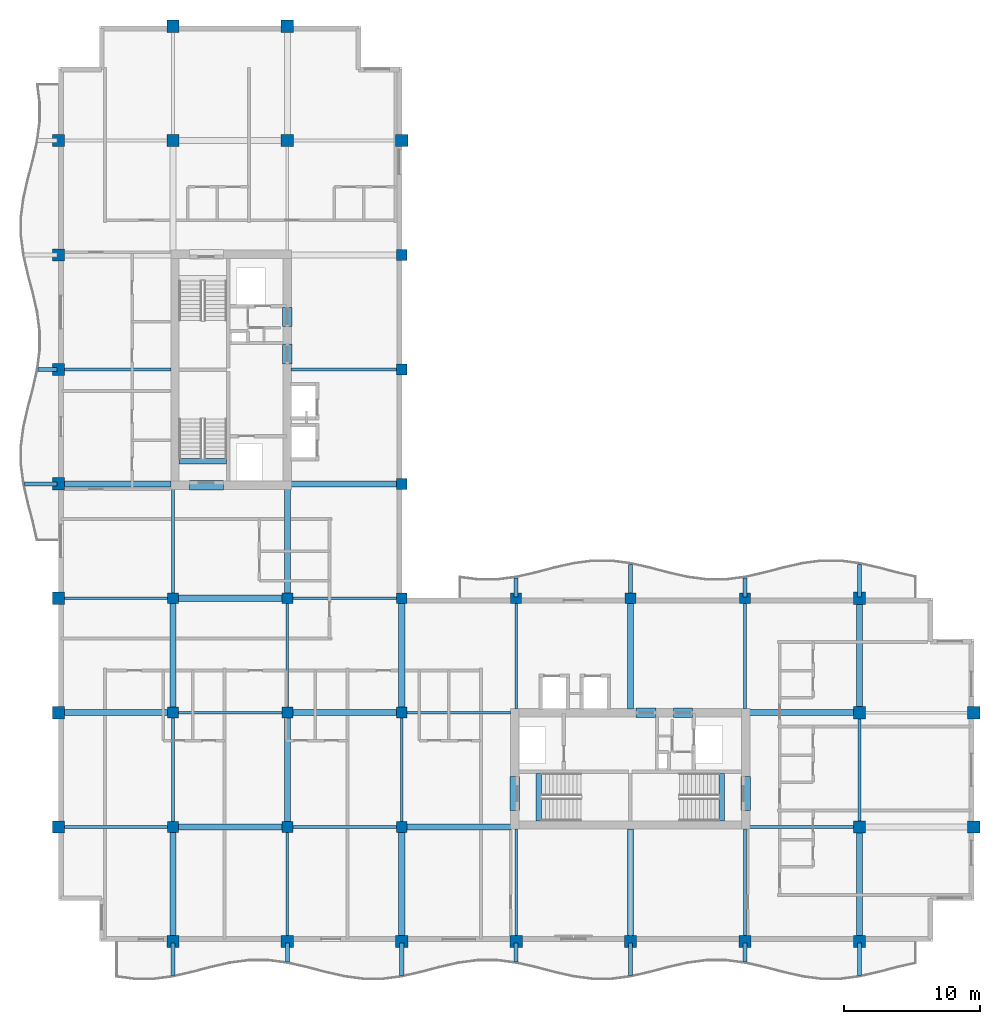
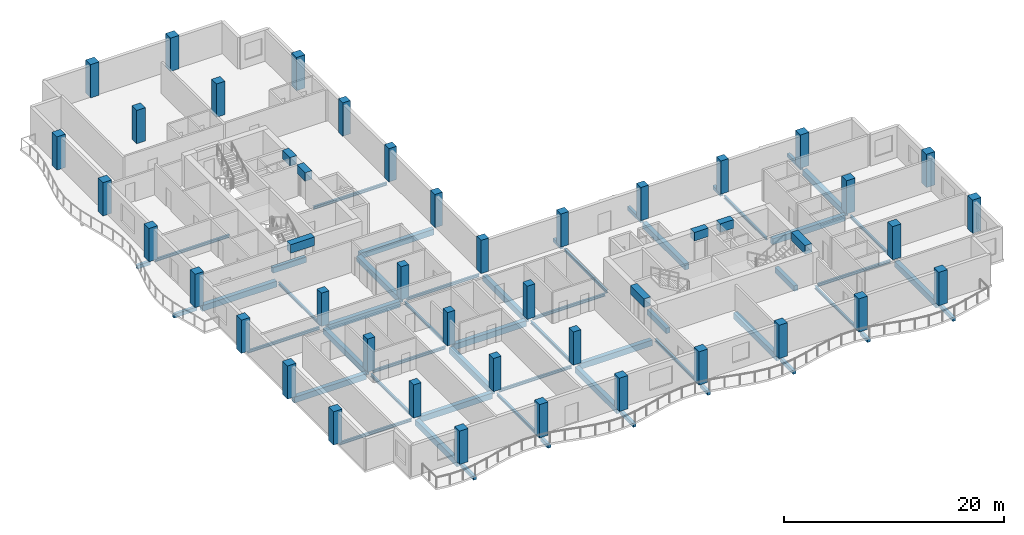
# One storey, part 1 of 12: 60 beams, 39 columns.
"""IFC4 building model written with IfcOpenShell, lengths in metres."""

from ifc_helpers import new_model, si_unit, direction, frame, origin, origin_2d, place, context, subcontext, project, spatial, rectangle, i_section, extrude, material, material_profile, profile_set, type_object, element, save


model = new_model("IFC4")

# Units and contexts
model_context = context("Model", 3, precision=1e-05, world=origin(), true_north=direction((0.0, 1.0)))
body_context = subcontext(model_context, "Body", "Model", "MODEL_VIEW")
ifc_project = project(units=[si_unit("LENGTHUNIT", "METRE"), si_unit("AREAUNIT", "SQUARE_METRE"), si_unit("VOLUMEUNIT", "CUBIC_METRE"), si_unit("PLANEANGLEUNIT", "RADIAN"), si_unit("MASSUNIT", "GRAM", prefix="KILO")], contexts=[model_context])

# Site, building, storey
site_placement = place(None, origin())
site = spatial("IfcSite", under=ifc_project, at=site_placement, CompositionType="ELEMENT")
building_placement = place(site_placement, origin())
building = spatial("IfcBuilding", under=site, at=building_placement, Name="Koriwani Terraces Tower", CompositionType="ELEMENT")
storey_placement = place(building_placement, frame((0.0, 0.0, 241.60009765625)))
storey = spatial("IfcBuildingStorey", under=building, at=storey_placement, Name="L59", CompositionType="ELEMENT", Elevation=241.60009765625)

# Columns
ifc_material_1 = material(Name="Concrete C50/60", Category="concrete")
ifc_material_profile_1 = material_profile(ifc_material_1, rectangle(XDim=0.800048828125, YDim=0.800048828125, at=origin_2d()), Name="Concrete C50/60", Category="LoadBearing")
ifc_profile_set_1 = profile_set([ifc_material_profile_1], Name="Concrete C50/60")
column_type_1 = type_object("IfcColumnType", Name="COL_RC_800X800", PredefinedType="COLUMN", material=ifc_profile_set_1)
for number, where, z_axis, x_axis, name in (
    (1, (16.800048828125, 16.800048828125, 0.0), (0.0, 0.0, 1.0), (1.0, 0.0, 0.0), "L59 Column 3/C"),
    (2, (16.800048828125, 25.199951171875, 0.0), (0.0, 0.0, 1.0), (1.0, 0.0, 0.0), "L59 Column 3/D"),
    (3, (16.800048828125, 33.60009765625, 0.0), (0.0, 0.0, 1.0), (1.0, 0.0, 0.0), "L59 Column 3/E"),
    (4, (25.199951171875, 16.800048828125, 0.0), (0.0, 0.0, 1.0), (1.0, 0.0, 0.0), "L59 Column 4/C"),
    (5, (25.199951171875, 25.199951171875, 0.0), (0.0, 0.0, 1.0), (1.0, 0.0, 0.0), "L59 Column 4/D"),
    (6, (25.199951171875, 33.60009765625, 0.0), (0.0, 0.0, 1.0), (1.0, 0.0, 0.0), "L59 Column 4/E"),
    (7, (33.60009765625, 16.800048828125, 0.0), (0.0, 0.0, 1.0), (1.0, 0.0, 0.0), "L59 Column 5/C"),
    (8, (33.60009765625, 25.199951171875, 0.0), (0.0, 0.0, 1.0), (1.0, 0.0, 0.0), "L59 Column 5/D"),
    (9, (33.60009765625, 33.60009765625, 0.0), (0.0, 0.0, 1.0), (1.0, 0.0, 0.0), "L59 Column 5/E"),
    (10, (33.60009765625, 42.0, 0.0), (0.0, 0.0, 1.0), (1.0, 0.0, 0.0), "L59 Column 5/F"),
    (11, (33.60009765625, 50.39990234375, 0.0), (0.0, 0.0, 1.0), (1.0, 0.0, 0.0), "L59 Column 5/G"),
    (12, (33.60009765625, 58.800048828125, 0.0), (0.0, 0.0, 1.0), (1.0, 0.0, 0.0), "L59 Column 5/H"),
    (13, (42.0, 33.60009765625, 0.0), (0.0, 0.0, 1.0), (1.0, 0.0, 0.0), "L59 Column 6/E"),
    (14, (50.39990234375, 33.60009765625, 0.0), (0.0, 0.0, 1.0), (1.0, 0.0, 0.0), "L59 Column 7/E"),
    (15, (58.800048828125, 33.60009765625, 0.0), (0.0, 0.0, 1.0), (1.0, 0.0, 0.0), "L59 Column 8/E"),
):
    element("IfcColumn", number, at=place(storey_placement, frame(where, z_axis=z_axis, x_axis=x_axis)), inside=storey, type_object=column_type_1, Name=name, PredefinedType="COLUMN", context=body_context, shape_type="SweptSolid", body=[
        extrude(rectangle(XDim=0.800048828125, YDim=0.800048828125, at=origin_2d()), origin(), (0.0, 0.0, 1.0), 3.699951171875),
    ])
ifc_material_profile_2 = material_profile(ifc_material_1, rectangle(XDim=0.89990234375, YDim=0.89990234375, at=origin_2d()), Name="Concrete C50/60", Category="LoadBearing")
ifc_profile_set_2 = profile_set([ifc_material_profile_2], Name="Concrete C50/60")
column_type_2 = type_object("IfcColumnType", Name="COL_RC_900X900", PredefinedType="COLUMN", material=ifc_profile_set_2)
for number, where, z_axis, x_axis, name in (
    (16, (8.39990234375, 16.800048828125, 0.0), (0.0, 0.0, 1.0), (1.0, 0.0, 0.0), "L59 Column 2/C"),
    (17, (8.39990234375, 25.199951171875, 0.0), (0.0, 0.0, 1.0), (1.0, 0.0, 0.0), "L59 Column 2/D"),
    (18, (8.39990234375, 33.60009765625, 0.0), (0.0, 0.0, 1.0), (1.0, 0.0, 0.0), "L59 Column 2/E"),
    (19, (8.39990234375, 42.0, 0.0), (0.0, 0.0, 1.0), (1.0, 0.0, 0.0), "L59 Column 2/F"),
    (20, (8.39990234375, 50.39990234375, 0.0), (0.0, 0.0, 1.0), (1.0, 0.0, 0.0), "L59 Column 2/G"),
    (21, (8.39990234375, 58.800048828125, 0.0), (0.0, 0.0, 1.0), (1.0, 0.0, 0.0), "L59 Column 2/H"),
    (22, (8.39990234375, 67.199951171875, 0.0), (0.0, 0.0, 1.0), (1.0, 0.0, 0.0), "L59 Column 2/I"),
    (23, (16.800048828125, 8.39990234375, 0.0), (0.0, 0.0, 1.0), (1.0, 0.0, 0.0), "L59 Column 3/B"),
    (24, (16.800048828125, 67.199951171875, 0.0), (0.0, 0.0, 1.0), (1.0, 0.0, 0.0), "L59 Column 3/I"),
    (25, (16.800048828125, 75.60009765625, 0.0), (0.0, 0.0, 1.0), (1.0, 0.0, 0.0), "L59 Column 3/J"),
    (26, (25.199951171875, 8.39990234375, 0.0), (0.0, 0.0, 1.0), (1.0, 0.0, 0.0), "L59 Column 4/B"),
    (27, (25.199951171875, 67.199951171875, 0.0), (0.0, 0.0, 1.0), (1.0, 0.0, 0.0), "L59 Column 4/I"),
    (28, (25.199951171875, 75.60009765625, 0.0), (0.0, 0.0, 1.0), (1.0, 0.0, 0.0), "L59 Column 4/J"),
    (29, (33.60009765625, 8.39990234375, 0.0), (0.0, 0.0, 1.0), (1.0, 0.0, 0.0), "L59 Column 5/B"),
    (30, (33.60009765625, 67.199951171875, 0.0), (0.0, 0.0, 1.0), (1.0, 0.0, 0.0), "L59 Column 5/I"),
    (31, (42.0, 8.39990234375, 0.0), (0.0, 0.0, 1.0), (1.0, 0.0, 0.0), "L59 Column 6/B"),
    (32, (50.39990234375, 8.39990234375, 0.0), (0.0, 0.0, 1.0), (1.0, 0.0, 0.0), "L59 Column 7/B"),
    (33, (58.800048828125, 8.39990234375, 0.0), (0.0, 0.0, 1.0), (1.0, 0.0, 0.0), "L59 Column 8/B"),
    (34, (67.199951171875, 8.39990234375, 0.0), (0.0, 0.0, 1.0), (1.0, 0.0, 0.0), "L59 Column 9/B"),
    (35, (67.199951171875, 16.800048828125, 0.0), (0.0, 0.0, 1.0), (1.0, 0.0, 0.0), "L59 Column 9/C"),
    (36, (67.199951171875, 25.199951171875, 0.0), (0.0, 0.0, 1.0), (1.0, 0.0, 0.0), "L59 Column 9/D"),
    (37, (67.199951171875, 33.60009765625, 0.0), (0.0, 0.0, 1.0), (1.0, 0.0, 0.0), "L59 Column 9/E"),
    (38, (75.60009765625, 16.800048828125, 0.0), (0.0, 0.0, 1.0), (1.0, 0.0, 0.0), "L59 Column 10/C"),
    (39, (75.60009765625, 25.199951171875, 0.0), (0.0, 0.0, 1.0), (1.0, 0.0, 0.0), "L59 Column 10/D"),
):
    element("IfcColumn", number, at=place(storey_placement, frame(where, z_axis=z_axis, x_axis=x_axis)), inside=storey, type_object=column_type_2, Name=name, PredefinedType="COLUMN", context=body_context, shape_type="SweptSolid", body=[
        extrude(rectangle(XDim=0.89990234375, YDim=0.89990234375, at=origin_2d()), origin(), (0.0, 0.0, 1.0), 3.699951171875),
    ])

# Beams
ifc_material_2 = material(Name="Concrete C40/50", Category="concrete")
ifc_material_profile_3 = material_profile(ifc_material_2, rectangle(XDim=0.300048828125, YDim=0.39990234375, at=origin_2d()), Name="Concrete C40/50", Category="LoadBearing")
ifc_profile_set_3 = profile_set([ifc_material_profile_3], Name="Concrete C40/50")
beam_type_1 = type_object("IfcBeamType", Name="BEAM_RC_BALCONY_RIB_300X400", PredefinedType="JOIST", material=ifc_profile_set_3)
beam_1_placement = place(storey_placement, frame((16.800048828125, 5.907958984375, -0.43017578125), z_axis=(0.0, 1.0, 0.0), x_axis=(-1.0, 0.0, 0.0)))
element("IfcBeam", 40, at=beam_1_placement, inside=storey, type_object=beam_type_1, Name="L59 Balcony Bracket Rib S-1", PredefinedType="JOIST", context=body_context, shape_type="SweptSolid", body=[
    extrude(rectangle(XDim=0.300048828125, YDim=0.39990234375, at=origin_2d()), origin(), (0.0, 0.0, 1.0), 2.39208984375),
])
beam_2_placement = place(storey_placement, frame((25.199951171875, 6.912109375, -0.43017578125), z_axis=(0.0, 1.0, 0.0), x_axis=(-1.0, 0.0, 0.0)))
element("IfcBeam", 41, at=beam_2_placement, inside=storey, type_object=beam_type_1, Name="L59 Balcony Bracket Rib S-2", PredefinedType="JOIST", context=body_context, shape_type="SweptSolid", body=[
    extrude(rectangle(XDim=0.300048828125, YDim=0.39990234375, at=origin_2d()), origin(), (0.0, 0.0, 1.0), 1.387939453125),
])
beam_3_placement = place(storey_placement, frame((33.60009765625, 5.907958984375, -0.43017578125), z_axis=(0.0, 1.0, 0.0), x_axis=(-1.0, 0.0, 0.0)))
element("IfcBeam", 42, at=beam_3_placement, inside=storey, type_object=beam_type_1, Name="L59 Balcony Bracket Rib S-3", PredefinedType="JOIST", context=body_context, shape_type="SweptSolid", body=[
    extrude(rectangle(XDim=0.300048828125, YDim=0.39990234375, at=origin_2d()), origin(), (0.0, 0.0, 1.0), 2.39208984375),
])
beam_4_placement = place(storey_placement, frame((42.0, 6.912109375, -0.43017578125), z_axis=(0.0, 1.0, 0.0), x_axis=(-1.0, 0.0, 0.0)))
element("IfcBeam", 43, at=beam_4_placement, inside=storey, type_object=beam_type_1, Name="L59 Balcony Bracket Rib S-4", PredefinedType="JOIST", context=body_context, shape_type="SweptSolid", body=[
    extrude(rectangle(XDim=0.300048828125, YDim=0.39990234375, at=origin_2d()), origin(), (0.0, 0.0, 1.0), 1.387939453125),
])
beam_5_placement = place(storey_placement, frame((50.39990234375, 5.907958984375, -0.43017578125), z_axis=(0.0, 1.0, 0.0), x_axis=(-1.0, 0.0, 0.0)))
element("IfcBeam", 44, at=beam_5_placement, inside=storey, type_object=beam_type_1, Name="L59 Balcony Bracket Rib S-5", PredefinedType="JOIST", context=body_context, shape_type="SweptSolid", body=[
    extrude(rectangle(XDim=0.300048828125, YDim=0.39990234375, at=origin_2d()), origin(), (0.0, 0.0, 1.0), 2.39208984375),
])
beam_6_placement = place(storey_placement, frame((58.800048828125, 6.912109375, -0.43017578125), z_axis=(0.0, 1.0, 0.0), x_axis=(-1.0, 0.0, 0.0)))
element("IfcBeam", 45, at=beam_6_placement, inside=storey, type_object=beam_type_1, Name="L59 Balcony Bracket Rib S-6", PredefinedType="JOIST", context=body_context, shape_type="SweptSolid", body=[
    extrude(rectangle(XDim=0.300048828125, YDim=0.39990234375, at=origin_2d()), origin(), (0.0, 0.0, 1.0), 1.387939453125),
])
for number, where, z_axis, x_axis, name in (
    (46, (67.199951171875, 5.907958984375, -0.43017578125), (0.0, 1.0, 0.0), (-1.0, 0.0, 0.0), "L59 Balcony Bracket Rib S-7"),
    (47, (5.907958984375, 42.0, -0.43017578125), (1.0, 0.0, 0.0), (0.0, 1.0, 0.0), "L59 Balcony Bracket Rib W-1"),
):
    element("IfcBeam", number, at=place(storey_placement, frame(where, z_axis=z_axis, x_axis=x_axis)), inside=storey, type_object=beam_type_1, Name=name, PredefinedType="JOIST", context=body_context, shape_type="SweptSolid", body=[
        extrude(rectangle(XDim=0.300048828125, YDim=0.39990234375, at=origin_2d()), origin(), (0.0, 0.0, 1.0), 2.39208984375),
    ])
for number, where, z_axis, x_axis, name in (
    (48, (6.912109375, 50.39990234375, -0.43017578125), (1.0, 0.0, 0.0), (0.0, 1.0, 0.0), "L59 Balcony Bracket Rib W-2"),
    (49, (42.0, 33.699951171875, -0.43017578125), (0.0, 1.0, 0.0), (-1.0, 0.0, 0.0), "L59 Balcony Bracket Rib NE-1"),
):
    element("IfcBeam", number, at=place(storey_placement, frame(where, z_axis=z_axis, x_axis=x_axis)), inside=storey, type_object=beam_type_1, Name=name, PredefinedType="JOIST", context=body_context, shape_type="SweptSolid", body=[
        extrude(rectangle(XDim=0.300048828125, YDim=0.39990234375, at=origin_2d()), origin(), (0.0, 0.0, 1.0), 1.387939453125),
    ])
beam_7_placement = place(storey_placement, frame((50.39990234375, 33.699951171875, -0.43017578125), z_axis=(0.0, 1.0, 0.0), x_axis=(-1.0, 0.0, 0.0)))
element("IfcBeam", 50, at=beam_7_placement, inside=storey, type_object=beam_type_1, Name="L59 Balcony Bracket Rib NE-2", PredefinedType="JOIST", context=body_context, shape_type="SweptSolid", body=[
    extrude(rectangle(XDim=0.300048828125, YDim=0.39990234375, at=origin_2d()), origin(), (0.0, 0.0, 1.0), 2.39208984375),
])
beam_8_placement = place(storey_placement, frame((58.800048828125, 33.699951171875, -0.43017578125), z_axis=(0.0, 1.0, 0.0), x_axis=(-1.0, 0.0, 0.0)))
element("IfcBeam", 51, at=beam_8_placement, inside=storey, type_object=beam_type_1, Name="L59 Balcony Bracket Rib NE-3", PredefinedType="JOIST", context=body_context, shape_type="SweptSolid", body=[
    extrude(rectangle(XDim=0.300048828125, YDim=0.39990234375, at=origin_2d()), origin(), (0.0, 0.0, 1.0), 1.387939453125),
])
beam_9_placement = place(storey_placement, frame((67.199951171875, 33.699951171875, -0.43017578125), z_axis=(0.0, 1.0, 0.0), x_axis=(-1.0, 0.0, 0.0)))
element("IfcBeam", 52, at=beam_9_placement, inside=storey, type_object=beam_type_1, Name="L59 Balcony Bracket Rib NE-4", PredefinedType="JOIST", context=body_context, shape_type="SweptSolid", body=[
    extrude(rectangle(XDim=0.300048828125, YDim=0.39990234375, at=origin_2d()), origin(), (0.0, 0.0, 1.0), 2.39208984375),
])
ifc_material_3 = material(Name="Concrete C60/75", Category="concrete")
ifc_material_profile_4 = material_profile(ifc_material_3, rectangle(XDim=0.699951171875, YDim=0.949951171875, at=origin_2d()), Name="Concrete C60/75", Category="LoadBearing")
ifc_profile_set_4 = profile_set([ifc_material_profile_4], Name="Concrete C60/75")
beam_type_2 = type_object("IfcBeamType", Name="BEAM_RC_COUPLING_700X950", PredefinedType="LINTEL", material=ifc_profile_set_4)
beam_10_placement = place(storey_placement, frame((25.199951171875, 50.800048828125, 2.994873046875), z_axis=(0.0, 1.0, 0.0), x_axis=(-1.0, 0.0, 0.0)))
element("IfcBeam", 53, at=beam_10_placement, inside=storey, type_object=beam_type_2, Name="L59 Core Coupling Lintel Beam WE1", PredefinedType="LINTEL", context=body_context, shape_type="SweptSolid", body=[
    extrude(rectangle(XDim=0.699951171875, YDim=0.949951171875, at=origin_2d()), origin(), (0.0, 0.0, 1.0), 1.47998046875),
])
beam_11_placement = place(storey_placement, frame((25.199951171875, 53.550048828125, 2.994873046875), z_axis=(0.0, 1.0, 0.0), x_axis=(-1.0, 0.0, 0.0)))
element("IfcBeam", 54, at=beam_11_placement, inside=storey, type_object=beam_type_2, Name="L59 Core Coupling Lintel Beam WE2", PredefinedType="LINTEL", context=body_context, shape_type="SweptSolid", body=[
    extrude(rectangle(XDim=0.699951171875, YDim=0.949951171875, at=origin_2d()), origin(), (0.0, 0.0, 1.0), 1.39990234375),
])
beam_12_placement = place(storey_placement, frame((18.0, 41.89990234375, 2.994873046875), z_axis=(1.0, 0.0, 0.0), x_axis=(0.0, 1.0, 0.0)))
element("IfcBeam", 55, at=beam_12_placement, inside=storey, type_object=beam_type_2, Name="L59 Core Coupling Lintel Beam WS", PredefinedType="LINTEL", context=body_context, shape_type="SweptSolid", body=[
    extrude(rectangle(XDim=0.699951171875, YDim=0.949951171875, at=origin_2d()), origin(), (0.0, 0.0, 1.0), 2.5),
])
beam_13_placement = place(storey_placement, frame((50.800048828125, 25.199951171875, 2.994873046875), z_axis=(1.0, 0.0, 0.0), x_axis=(0.0, 1.0, 0.0)))
element("IfcBeam", 56, at=beam_13_placement, inside=storey, type_object=beam_type_2, Name="L59 Core Coupling Lintel Beam EN1", PredefinedType="LINTEL", context=body_context, shape_type="SweptSolid", body=[
    extrude(rectangle(XDim=0.699951171875, YDim=0.949951171875, at=origin_2d()), origin(), (0.0, 0.0, 1.0), 1.47998046875),
])
beam_14_placement = place(storey_placement, frame((53.550048828125, 25.199951171875, 2.994873046875), z_axis=(1.0, 0.0, 0.0), x_axis=(0.0, 1.0, 0.0)))
element("IfcBeam", 57, at=beam_14_placement, inside=storey, type_object=beam_type_2, Name="L59 Core Coupling Lintel Beam EN2", PredefinedType="LINTEL", context=body_context, shape_type="SweptSolid", body=[
    extrude(rectangle(XDim=0.699951171875, YDim=0.949951171875, at=origin_2d()), origin(), (0.0, 0.0, 1.0), 1.39990234375),
])
for number, where, z_axis, x_axis, name in (
    (58, (41.89990234375, 18.0, 2.994873046875), (0.0, 1.0, 0.0), (-1.0, 0.0, 0.0), "L59 Core Coupling Lintel Beam EW"),
    (59, (58.85009765625, 18.0, 2.994873046875), (0.0, 1.0, 0.0), (-1.0, 0.0, 0.0), "L59 Core Coupling Lintel Beam EE"),
):
    element("IfcBeam", number, at=place(storey_placement, frame(where, z_axis=z_axis, x_axis=x_axis)), inside=storey, type_object=beam_type_2, Name=name, PredefinedType="LINTEL", context=body_context, shape_type="SweptSolid", body=[
        extrude(rectangle(XDim=0.699951171875, YDim=0.949951171875, at=origin_2d()), origin(), (0.0, 0.0, 1.0), 2.5),
    ])
ifc_material_profile_5 = material_profile(ifc_material_2, rectangle(XDim=0.39990234375, YDim=0.60009765625, at=origin_2d()), Name="Concrete C40/50", Category="LoadBearing")
ifc_profile_set_5 = profile_set([ifc_material_profile_5], Name="Concrete C40/50")
beam_type_3 = type_object("IfcBeamType", Name="BEAM_RC_GRID_400X600", PredefinedType="BEAM", material=ifc_profile_set_5)
for number, where, z_axis, x_axis, name in (
    (60, (17.25, 43.655029296875, -0.300048828125), (1.0, 0.0, 0.0), (0.0, 1.0, 0.0), "L59 Stairwell Header Trimmer Beam ST-W1"),
    (61, (43.655029296875, 17.25, -0.300048828125), (0.0, 1.0, 0.0), (-1.0, 0.0, 0.0), "L59 Stairwell Header Trimmer Beam ST-E1"),
    (62, (57.094970703125, 17.25, -0.300048828125), (0.0, 1.0, 0.0), (-1.0, 0.0, 0.0), "L59 Stairwell Header Trimmer Beam ST-E2"),
):
    element("IfcBeam", number, at=place(storey_placement, frame(where, z_axis=z_axis, x_axis=x_axis)), inside=storey, type_object=beam_type_3, Name=name, PredefinedType="BEAM", context=body_context, shape_type="SweptSolid", body=[
        extrude(rectangle(XDim=0.39990234375, YDim=0.60009765625, at=origin_2d()), origin(), (0.0, 0.0, 1.0), 3.5),
    ])
ifc_material_profile_6 = material_profile(ifc_material_1, rectangle(XDim=0.449951171875, YDim=0.64990234375, at=origin_2d()), Name="Concrete C50/60", Category="LoadBearing")
ifc_profile_set_6 = profile_set([ifc_material_profile_6], Name="Concrete C50/60")
beam_type_4 = type_object("IfcBeamType", Name="BEAM_RC_GRID_450X650", PredefinedType="BEAM", material=ifc_profile_set_6)
for number, where, z_axis, x_axis, name in (
    (63, (17.179931640625, 16.800048828125, -0.55517578125), (1.0, 0.0, 0.0), (0.0, 1.0, 0.0), "L59 Grid Beam C (16.8-25.2m)"),
    (64, (33.97998046875, 16.800048828125, -0.55517578125), (1.0, 0.0, 0.0), (0.0, 1.0, 0.0), "L59 Grid Beam C (33.6-42.0m)"),
):
    element("IfcBeam", number, at=place(storey_placement, frame(where, z_axis=z_axis, x_axis=x_axis)), inside=storey, type_object=beam_type_4, Name=name, PredefinedType="BEAM", context=body_context, shape_type="SweptSolid", body=[
        extrude(rectangle(XDim=0.449951171875, YDim=0.64990234375, at=origin_2d()), origin(), (0.0, 0.0, 1.0), 7.64013671875),
    ])
beam_15_placement = place(storey_placement, frame((8.830078125, 25.199951171875, -0.55517578125), z_axis=(1.0, 0.0, 0.0), x_axis=(0.0, 1.0, 0.0)))
element("IfcBeam", 65, at=beam_15_placement, inside=storey, type_object=beam_type_4, Name="L59 Grid Beam D (8.4-16.8m)", PredefinedType="BEAM", context=body_context, shape_type="SweptSolid", body=[
    extrude(rectangle(XDim=0.449951171875, YDim=0.64990234375, at=origin_2d()), origin(), (0.0, 0.0, 1.0), 7.58984375),
])
beam_16_placement = place(storey_placement, frame((25.580078125, 25.199951171875, -0.55517578125), z_axis=(1.0, 0.0, 0.0), x_axis=(0.0, 1.0, 0.0)))
element("IfcBeam", 66, at=beam_16_placement, inside=storey, type_object=beam_type_4, Name="L59 Grid Beam D (25.2-33.6m)", PredefinedType="BEAM", context=body_context, shape_type="SweptSolid", body=[
    extrude(rectangle(XDim=0.449951171875, YDim=0.64990234375, at=origin_2d()), origin(), (0.0, 0.0, 1.0), 7.639892578125),
])
for number, where, z_axis, x_axis, name in (
    (67, (59.1298828125, 25.199951171875, -0.55517578125), (1.0, 0.0, 0.0), (0.0, 1.0, 0.0), "L59 Grid Beam D (58.8-67.2m)"),
    (68, (17.179931640625, 33.60009765625, -0.55517578125), (1.0, 0.0, 0.0), (0.0, 1.0, 0.0), "L59 Grid Beam E (16.8-25.2m)"),
):
    element("IfcBeam", number, at=place(storey_placement, frame(where, z_axis=z_axis, x_axis=x_axis)), inside=storey, type_object=beam_type_4, Name=name, PredefinedType="BEAM", context=body_context, shape_type="SweptSolid", body=[
        extrude(rectangle(XDim=0.449951171875, YDim=0.64990234375, at=origin_2d()), origin(), (0.0, 0.0, 1.0), 7.64013671875),
    ])
beam_17_placement = place(storey_placement, frame((8.830078125, 42.0, -0.55517578125), z_axis=(1.0, 0.0, 0.0), x_axis=(0.0, 1.0, 0.0)))
element("IfcBeam", 69, at=beam_17_placement, inside=storey, type_object=beam_type_4, Name="L59 Grid Beam F (8.4-16.8m)", PredefinedType="BEAM", context=body_context, shape_type="SweptSolid", body=[
    extrude(rectangle(XDim=0.449951171875, YDim=0.64990234375, at=origin_2d()), origin(), (0.0, 0.0, 1.0), 7.83984375),
])
beam_18_placement = place(storey_placement, frame((25.47998046875, 42.0, -0.55517578125), z_axis=(1.0, 0.0, 0.0), x_axis=(0.0, 1.0, 0.0)))
element("IfcBeam", 70, at=beam_18_placement, inside=storey, type_object=beam_type_4, Name="L59 Grid Beam F (25.2-33.6m)", PredefinedType="BEAM", context=body_context, shape_type="SweptSolid", body=[
    extrude(rectangle(XDim=0.449951171875, YDim=0.64990234375, at=origin_2d()), origin(), (0.0, 0.0, 1.0), 7.739990234375),
])
beam_19_placement = place(storey_placement, frame((16.800048828125, 8.830078125, -0.55517578125), z_axis=(0.0, 1.0, 0.0), x_axis=(-1.0, 0.0, 0.0)))
element("IfcBeam", 71, at=beam_19_placement, inside=storey, type_object=beam_type_4, Name="L59 Grid Beam 3 (8.4-16.8m)", PredefinedType="BEAM", context=body_context, shape_type="SweptSolid", body=[
    extrude(rectangle(XDim=0.449951171875, YDim=0.64990234375, at=origin_2d()), origin(), (0.0, 0.0, 1.0), 7.58984375),
])
beam_20_placement = place(storey_placement, frame((16.800048828125, 25.580078125, -0.55517578125), z_axis=(0.0, 1.0, 0.0), x_axis=(-1.0, 0.0, 0.0)))
element("IfcBeam", 72, at=beam_20_placement, inside=storey, type_object=beam_type_4, Name="L59 Grid Beam 3 (25.2-33.6m)", PredefinedType="BEAM", context=body_context, shape_type="SweptSolid", body=[
    extrude(rectangle(XDim=0.449951171875, YDim=0.64990234375, at=origin_2d()), origin(), (0.0, 0.0, 1.0), 7.639892578125),
])
for number, where, z_axis, x_axis, name in (
    (73, (25.199951171875, 17.179931640625, -0.55517578125), (0.0, 1.0, 0.0), (-1.0, 0.0, 0.0), "L59 Grid Beam 4 (16.8-25.2m)"),
    (74, (25.199951171875, 33.97998046875, -0.55517578125), (0.0, 1.0, 0.0), (-1.0, 0.0, 0.0), "L59 Grid Beam 4 (33.6-42.0m)"),
):
    element("IfcBeam", number, at=place(storey_placement, frame(where, z_axis=z_axis, x_axis=x_axis)), inside=storey, type_object=beam_type_4, Name=name, PredefinedType="BEAM", context=body_context, shape_type="SweptSolid", body=[
        extrude(rectangle(XDim=0.449951171875, YDim=0.64990234375, at=origin_2d()), origin(), (0.0, 0.0, 1.0), 7.64013671875),
    ])
beam_21_placement = place(storey_placement, frame((33.60009765625, 8.830078125, -0.55517578125), z_axis=(0.0, 1.0, 0.0), x_axis=(-1.0, 0.0, 0.0)))
element("IfcBeam", 75, at=beam_21_placement, inside=storey, type_object=beam_type_4, Name="L59 Grid Beam 5 (8.4-16.8m)", PredefinedType="BEAM", context=body_context, shape_type="SweptSolid", body=[
    extrude(rectangle(XDim=0.449951171875, YDim=0.64990234375, at=origin_2d()), origin(), (0.0, 0.0, 1.0), 7.58984375),
])
beam_22_placement = place(storey_placement, frame((33.60009765625, 25.580078125, -0.55517578125), z_axis=(0.0, 1.0, 0.0), x_axis=(-1.0, 0.0, 0.0)))
element("IfcBeam", 76, at=beam_22_placement, inside=storey, type_object=beam_type_4, Name="L59 Grid Beam 5 (25.2-33.6m)", PredefinedType="BEAM", context=body_context, shape_type="SweptSolid", body=[
    extrude(rectangle(XDim=0.449951171875, YDim=0.64990234375, at=origin_2d()), origin(), (0.0, 0.0, 1.0), 7.639892578125),
])
beam_23_placement = place(storey_placement, frame((50.39990234375, 8.830078125, -0.55517578125), z_axis=(0.0, 1.0, 0.0), x_axis=(-1.0, 0.0, 0.0)))
element("IfcBeam", 77, at=beam_23_placement, inside=storey, type_object=beam_type_4, Name="L59 Grid Beam 7 (8.4-16.8m)", PredefinedType="BEAM", context=body_context, shape_type="SweptSolid", body=[
    extrude(rectangle(XDim=0.449951171875, YDim=0.64990234375, at=origin_2d()), origin(), (0.0, 0.0, 1.0), 7.83984375),
])
beam_24_placement = place(storey_placement, frame((50.39990234375, 25.47998046875, -0.55517578125), z_axis=(0.0, 1.0, 0.0), x_axis=(-1.0, 0.0, 0.0)))
element("IfcBeam", 78, at=beam_24_placement, inside=storey, type_object=beam_type_4, Name="L59 Grid Beam 7 (25.2-33.6m)", PredefinedType="BEAM", context=body_context, shape_type="SweptSolid", body=[
    extrude(rectangle(XDim=0.449951171875, YDim=0.64990234375, at=origin_2d()), origin(), (0.0, 0.0, 1.0), 7.739990234375),
])
for number, where, z_axis, x_axis, name in (
    (79, (67.199951171875, 8.830078125, -0.55517578125), (0.0, 1.0, 0.0), (-1.0, 0.0, 0.0), "L59 Grid Beam 9 (8.4-16.8m)"),
    (80, (67.199951171875, 25.6298828125, -0.55517578125), (0.0, 1.0, 0.0), (-1.0, 0.0, 0.0), "L59 Grid Beam 9 (25.2-33.6m)"),
):
    element("IfcBeam", number, at=place(storey_placement, frame(where, z_axis=z_axis, x_axis=x_axis)), inside=storey, type_object=beam_type_4, Name=name, PredefinedType="BEAM", context=body_context, shape_type="SweptSolid", body=[
        extrude(rectangle(XDim=0.449951171875, YDim=0.64990234375, at=origin_2d()), origin(), (0.0, 0.0, 1.0), 7.5400390625),
    ])
ifc_material_4 = material(Name="Steel ASTM A572 Grade 50", Category="steel")
ifc_material_profile_7 = material_profile(ifc_material_4, i_section(OverallWidth=0.205078125, OverallDepth=0.31005859375, WebThickness=0.009521484375, FlangeThickness=0.016357421875, at=origin_2d()), Name="Steel ASTM A572 Grade 50", Category="LoadBearing")
ifc_profile_set_7 = profile_set([ifc_material_profile_7], Name="Steel ASTM A572 Grade 50")
beam_type_5 = type_object("IfcBeamType", Name="STEEL_BEAM_W310X74", PredefinedType="JOIST", material=ifc_profile_set_7)
beam_25_placement = place(storey_placement, frame((8.830078125, 16.800048828125, -0.385009765625), z_axis=(1.0, 0.0, 0.0), x_axis=(0.0, 1.0, 0.0)))
element("IfcBeam", 81, at=beam_25_placement, inside=storey, type_object=beam_type_5, Name="L59 Grid Beam C (8.4-16.8m)", PredefinedType="JOIST", context=body_context, shape_type="SweptSolid", body=[
    extrude(i_section(OverallWidth=0.205078125, OverallDepth=0.31005859375, WebThickness=0.009521484375, FlangeThickness=0.016357421875, at=origin_2d()), origin(), (0.0, 0.0, 1.0), 7.58984375),
])
beam_26_placement = place(storey_placement, frame((25.580078125, 16.800048828125, -0.385009765625), z_axis=(1.0, 0.0, 0.0), x_axis=(0.0, 1.0, 0.0)))
element("IfcBeam", 82, at=beam_26_placement, inside=storey, type_object=beam_type_5, Name="L59 Grid Beam C (25.2-33.6m)", PredefinedType="JOIST", context=body_context, shape_type="SweptSolid", body=[
    extrude(i_section(OverallWidth=0.205078125, OverallDepth=0.31005859375, WebThickness=0.009521484375, FlangeThickness=0.016357421875, at=origin_2d()), origin(), (0.0, 0.0, 1.0), 7.639892578125),
])
for number, where, z_axis, x_axis, name in (
    (83, (59.1298828125, 16.800048828125, -0.385009765625), (1.0, 0.0, 0.0), (0.0, 1.0, 0.0), "L59 Grid Beam C (58.8-67.2m)"),
    (84, (17.179931640625, 25.199951171875, -0.385009765625), (1.0, 0.0, 0.0), (0.0, 1.0, 0.0), "L59 Grid Beam D (16.8-25.2m)"),
    (85, (33.97998046875, 25.199951171875, -0.385009765625), (1.0, 0.0, 0.0), (0.0, 1.0, 0.0), "L59 Grid Beam D (33.6-42.0m)"),
):
    element("IfcBeam", number, at=place(storey_placement, frame(where, z_axis=z_axis, x_axis=x_axis)), inside=storey, type_object=beam_type_5, Name=name, PredefinedType="JOIST", context=body_context, shape_type="SweptSolid", body=[
        extrude(i_section(OverallWidth=0.205078125, OverallDepth=0.31005859375, WebThickness=0.009521484375, FlangeThickness=0.016357421875, at=origin_2d()), origin(), (0.0, 0.0, 1.0), 7.64013671875),
    ])
beam_27_placement = place(storey_placement, frame((8.830078125, 33.60009765625, -0.385009765625), z_axis=(1.0, 0.0, 0.0), x_axis=(0.0, 1.0, 0.0)))
element("IfcBeam", 86, at=beam_27_placement, inside=storey, type_object=beam_type_5, Name="L59 Grid Beam E (8.4-16.8m)", PredefinedType="JOIST", context=body_context, shape_type="SweptSolid", body=[
    extrude(i_section(OverallWidth=0.205078125, OverallDepth=0.31005859375, WebThickness=0.009521484375, FlangeThickness=0.016357421875, at=origin_2d()), origin(), (0.0, 0.0, 1.0), 7.58984375),
])
beam_28_placement = place(storey_placement, frame((25.580078125, 33.60009765625, -0.385009765625), z_axis=(1.0, 0.0, 0.0), x_axis=(0.0, 1.0, 0.0)))
element("IfcBeam", 87, at=beam_28_placement, inside=storey, type_object=beam_type_5, Name="L59 Grid Beam E (25.2-33.6m)", PredefinedType="JOIST", context=body_context, shape_type="SweptSolid", body=[
    extrude(i_section(OverallWidth=0.205078125, OverallDepth=0.31005859375, WebThickness=0.009521484375, FlangeThickness=0.016357421875, at=origin_2d()), origin(), (0.0, 0.0, 1.0), 7.639892578125),
])
beam_29_placement = place(storey_placement, frame((8.830078125, 50.39990234375, -0.385009765625), z_axis=(1.0, 0.0, 0.0), x_axis=(0.0, 1.0, 0.0)))
element("IfcBeam", 88, at=beam_29_placement, inside=storey, type_object=beam_type_5, Name="L59 Grid Beam G (8.4-16.8m)", PredefinedType="JOIST", context=body_context, shape_type="SweptSolid", body=[
    extrude(i_section(OverallWidth=0.205078125, OverallDepth=0.31005859375, WebThickness=0.009521484375, FlangeThickness=0.016357421875, at=origin_2d()), origin(), (0.0, 0.0, 1.0), 7.83984375),
])
beam_30_placement = place(storey_placement, frame((25.47998046875, 50.39990234375, -0.385009765625), z_axis=(1.0, 0.0, 0.0), x_axis=(0.0, 1.0, 0.0)))
element("IfcBeam", 89, at=beam_30_placement, inside=storey, type_object=beam_type_5, Name="L59 Grid Beam G (25.2-33.6m)", PredefinedType="JOIST", context=body_context, shape_type="SweptSolid", body=[
    extrude(i_section(OverallWidth=0.205078125, OverallDepth=0.31005859375, WebThickness=0.009521484375, FlangeThickness=0.016357421875, at=origin_2d()), origin(), (0.0, 0.0, 1.0), 7.739990234375),
])
for number, where, z_axis, x_axis, name in (
    (90, (16.800048828125, 17.179931640625, -0.385009765625), (0.0, 1.0, 0.0), (-1.0, 0.0, 0.0), "L59 Grid Beam 3 (16.8-25.2m)"),
    (91, (16.800048828125, 33.97998046875, -0.385009765625), (0.0, 1.0, 0.0), (-1.0, 0.0, 0.0), "L59 Grid Beam 3 (33.6-42.0m)"),
):
    element("IfcBeam", number, at=place(storey_placement, frame(where, z_axis=z_axis, x_axis=x_axis)), inside=storey, type_object=beam_type_5, Name=name, PredefinedType="JOIST", context=body_context, shape_type="SweptSolid", body=[
        extrude(i_section(OverallWidth=0.205078125, OverallDepth=0.31005859375, WebThickness=0.009521484375, FlangeThickness=0.016357421875, at=origin_2d()), origin(), (0.0, 0.0, 1.0), 7.64013671875),
    ])
beam_31_placement = place(storey_placement, frame((25.199951171875, 8.830078125, -0.385009765625), z_axis=(0.0, 1.0, 0.0), x_axis=(-1.0, 0.0, 0.0)))
element("IfcBeam", 92, at=beam_31_placement, inside=storey, type_object=beam_type_5, Name="L59 Grid Beam 4 (8.4-16.8m)", PredefinedType="JOIST", context=body_context, shape_type="SweptSolid", body=[
    extrude(i_section(OverallWidth=0.205078125, OverallDepth=0.31005859375, WebThickness=0.009521484375, FlangeThickness=0.016357421875, at=origin_2d()), origin(), (0.0, 0.0, 1.0), 7.58984375),
])
beam_32_placement = place(storey_placement, frame((25.199951171875, 25.580078125, -0.385009765625), z_axis=(0.0, 1.0, 0.0), x_axis=(-1.0, 0.0, 0.0)))
element("IfcBeam", 93, at=beam_32_placement, inside=storey, type_object=beam_type_5, Name="L59 Grid Beam 4 (25.2-33.6m)", PredefinedType="JOIST", context=body_context, shape_type="SweptSolid", body=[
    extrude(i_section(OverallWidth=0.205078125, OverallDepth=0.31005859375, WebThickness=0.009521484375, FlangeThickness=0.016357421875, at=origin_2d()), origin(), (0.0, 0.0, 1.0), 7.639892578125),
])
beam_33_placement = place(storey_placement, frame((33.60009765625, 17.179931640625, -0.385009765625), z_axis=(0.0, 1.0, 0.0), x_axis=(-1.0, 0.0, 0.0)))
element("IfcBeam", 94, at=beam_33_placement, inside=storey, type_object=beam_type_5, Name="L59 Grid Beam 5 (16.8-25.2m)", PredefinedType="JOIST", context=body_context, shape_type="SweptSolid", body=[
    extrude(i_section(OverallWidth=0.205078125, OverallDepth=0.31005859375, WebThickness=0.009521484375, FlangeThickness=0.016357421875, at=origin_2d()), origin(), (0.0, 0.0, 1.0), 7.64013671875),
])
beam_34_placement = place(storey_placement, frame((42.0, 8.830078125, -0.385009765625), z_axis=(0.0, 1.0, 0.0), x_axis=(-1.0, 0.0, 0.0)))
element("IfcBeam", 95, at=beam_34_placement, inside=storey, type_object=beam_type_5, Name="L59 Grid Beam 6 (8.4-16.8m)", PredefinedType="JOIST", context=body_context, shape_type="SweptSolid", body=[
    extrude(i_section(OverallWidth=0.205078125, OverallDepth=0.31005859375, WebThickness=0.009521484375, FlangeThickness=0.016357421875, at=origin_2d()), origin(), (0.0, 0.0, 1.0), 7.83984375),
])
beam_35_placement = place(storey_placement, frame((42.0, 25.47998046875, -0.385009765625), z_axis=(0.0, 1.0, 0.0), x_axis=(-1.0, 0.0, 0.0)))
element("IfcBeam", 96, at=beam_35_placement, inside=storey, type_object=beam_type_5, Name="L59 Grid Beam 6 (25.2-33.6m)", PredefinedType="JOIST", context=body_context, shape_type="SweptSolid", body=[
    extrude(i_section(OverallWidth=0.205078125, OverallDepth=0.31005859375, WebThickness=0.009521484375, FlangeThickness=0.016357421875, at=origin_2d()), origin(), (0.0, 0.0, 1.0), 7.739990234375),
])
beam_36_placement = place(storey_placement, frame((58.800048828125, 8.830078125, -0.385009765625), z_axis=(0.0, 1.0, 0.0), x_axis=(-1.0, 0.0, 0.0)))
element("IfcBeam", 97, at=beam_36_placement, inside=storey, type_object=beam_type_5, Name="L59 Grid Beam 8 (8.4-16.8m)", PredefinedType="JOIST", context=body_context, shape_type="SweptSolid", body=[
    extrude(i_section(OverallWidth=0.205078125, OverallDepth=0.31005859375, WebThickness=0.009521484375, FlangeThickness=0.016357421875, at=origin_2d()), origin(), (0.0, 0.0, 1.0), 7.83984375),
])
beam_37_placement = place(storey_placement, frame((58.800048828125, 25.47998046875, -0.385009765625), z_axis=(0.0, 1.0, 0.0), x_axis=(-1.0, 0.0, 0.0)))
element("IfcBeam", 98, at=beam_37_placement, inside=storey, type_object=beam_type_5, Name="L59 Grid Beam 8 (25.2-33.6m)", PredefinedType="JOIST", context=body_context, shape_type="SweptSolid", body=[
    extrude(i_section(OverallWidth=0.205078125, OverallDepth=0.31005859375, WebThickness=0.009521484375, FlangeThickness=0.016357421875, at=origin_2d()), origin(), (0.0, 0.0, 1.0), 7.739990234375),
])
beam_38_placement = place(storey_placement, frame((67.199951171875, 17.22998046875, -0.385009765625), z_axis=(0.0, 1.0, 0.0), x_axis=(-1.0, 0.0, 0.0)))
element("IfcBeam", 99, at=beam_38_placement, inside=storey, type_object=beam_type_5, Name="L59 Grid Beam 9 (16.8-25.2m)", PredefinedType="JOIST", context=body_context, shape_type="SweptSolid", body=[
    extrude(i_section(OverallWidth=0.205078125, OverallDepth=0.31005859375, WebThickness=0.009521484375, FlangeThickness=0.016357421875, at=origin_2d()), origin(), (0.0, 0.0, 1.0), 7.5400390625),
])

save(model, "model.ifc")
